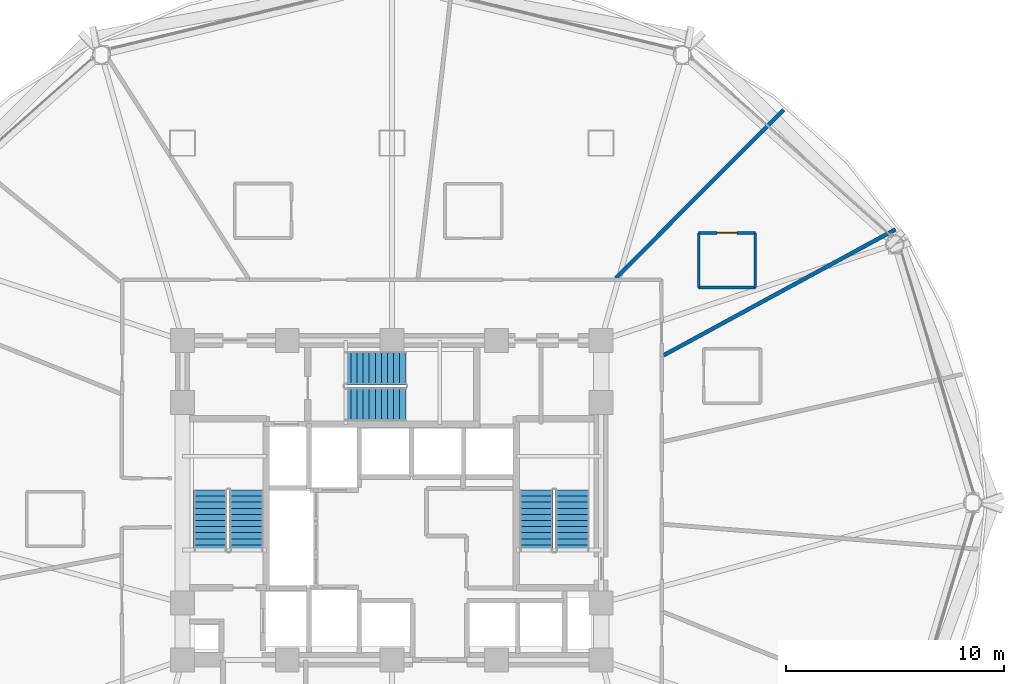
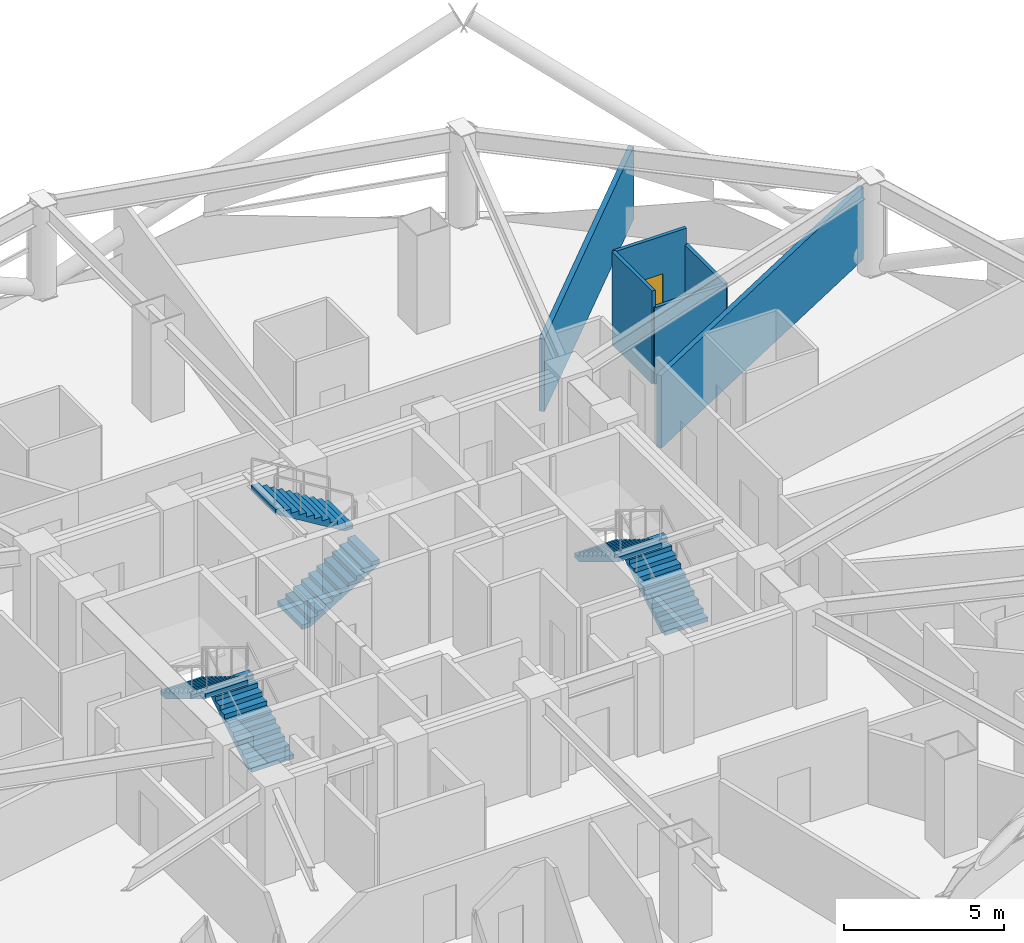
# One storey, part 26 of 30: 6 stair flights, 6 walls, 1 door, 1 opening, 3 elements without a shape of their own.
"""IFC4 building model written with IfcOpenShell, lengths in metres."""

from ifc_helpers import new_model, si_unit, direction, frame, frame_2d, origin, place, context, subcontext, project, spatial, polyline, rectangle, outline, extrude, material, layer, layer_set, type_object, element, fill, aggregate, save


model = new_model("IFC4")

# Units and contexts
model_context = context("Model", 3, precision=1e-05, world=origin(), true_north=direction((0.0, 1.0)))
body_context = subcontext(model_context, "Body", "Model", "MODEL_VIEW")
ifc_project = project(units=[si_unit("LENGTHUNIT", "METRE"), si_unit("AREAUNIT", "SQUARE_METRE"), si_unit("VOLUMEUNIT", "CUBIC_METRE"), si_unit("PLANEANGLEUNIT", "RADIAN"), si_unit("MASSUNIT", "GRAM", prefix="KILO")], contexts=[model_context])

# Site, building, storey
site_placement = place(None, origin())
site = spatial("IfcSite", under=ifc_project, at=site_placement, CompositionType="ELEMENT")
building_placement = place(site_placement, origin())
building = spatial("IfcBuilding", under=site, at=building_placement, Name="Vantalir Tower", CompositionType="ELEMENT")
storey_placement = place(building_placement, frame((0.0, 0.0, 49.5)))
storey = spatial("IfcBuildingStorey", under=building, at=storey_placement, Name="L11", CompositionType="ELEMENT", Elevation=49.5)

# Wall
ifc_material_1 = material(Name="Moisture-resistant en-suite partition", Category="gypsum")
ifc_layer_1 = layer(ifc_material_1, 0.125)
ifc_layer_set_1 = layer_set([ifc_layer_1], Name="Moisture-resistant en-suite partition")
wall_type_1 = type_object("IfcWallType", Name="WL-BATH-125", PredefinedType="PARTITIONING", material=ifc_layer_set_1)
wall_1_placement = place(storey_placement, frame((45.572998046875, 34.881103515625, 0.0), z_axis=(0.0, 0.0, 1.0), x_axis=(1.0, 0.0, 0.0)))
element("IfcWall", 1, at=wall_1_placement, inside=storey, type_object=wall_type_1, Name="L11 En-suite 02 South Wall", PredefinedType="PARTITIONING", context=body_context, shape_type="SweptSolid", body=[
    extrude(rectangle(XDim=2.60009765625, YDim=0.125, at=frame_2d((1.300048828125, 0.0))), origin(), (0.0, 0.0, 1.0), 2.927978515625),
])

# Wall, opening, door
wall_2_placement = place(storey_placement, frame((45.572998046875, 37.381103515625, 0.0), z_axis=(0.0, 0.0, 1.0), x_axis=(1.0, 0.0, 0.0)))
wall_2 = element("IfcWall", 2, at=wall_2_placement, inside=storey, type_object=wall_type_1, Name="L11 En-suite 02 North Wall", PredefinedType="PARTITIONING", context=body_context, shape_type="SweptSolid", body=[
    extrude(rectangle(XDim=2.60009765625, YDim=0.125, at=frame_2d((1.300048828125, 0.0))), origin(), (0.0, 0.0, 1.0), 3.550048828125),
])
opening_placement = place(wall_2_placement, frame((0.85009765625, 0.0, 0.0)))
opening = element("IfcOpeningElement", 3, at=opening_placement, cuts=wall_2, Name="Opening D-WC", PredefinedType="OPENING", context=body_context, shape_type="SweptSolid", body=[
    extrude(rectangle(XDim=0.89990234375, YDim=2.10009765625, at=frame_2d((0.449951171875, 1.050048828125))), frame((0.0, 0.072509765625, 0.0), z_axis=(0.0, -1.0, 0.0), x_axis=(1.0, 0.0, 0.0)), (0.0, 0.0, 1.0), 0.14501953125),
])
ifc_material_2 = material(Name="Moisture-resistant hardwood door", Category="wood")
door_type = type_object("IfcDoorType", Name="DR-ENSUITE-900", OperationType="NOTDEFINED", PredefinedType="DOOR", material=ifc_material_2)
door_placement = place(opening_placement, frame((0.89990234375, 0.0, 0.0), z_axis=(0.0, 0.0, 1.0), x_axis=(-1.0, 0.0, 0.0)))
door = element("IfcDoor", 4, at=door_placement, inside=storey, type_object=door_type, Name="L11 En-suite 02 Door", OperationType="SINGLE_SWING_RIGHT", OverallHeight=2.10009765625, OverallWidth=0.89990234375, PredefinedType="DOOR", context=body_context, shape_type="SweptSolid", body=[
    extrude(rectangle(XDim=0.89990234375, YDim=2.10009765625, at=frame_2d((0.449951171875, 1.050048828125))), frame((0.0, 0.02490234375, 0.0), z_axis=(0.0, -1.0, 0.0), x_axis=(1.0, 0.0, 0.0)), (0.0, 0.0, 1.0), 0.050048828125),
])
fill(opening, door)

# Walls
wall_3_placement = place(storey_placement, frame((45.572998046875, 34.881103515625, 0.0), z_axis=(0.0, 0.0, 1.0), x_axis=(0.0, 1.0, 0.0)))
element("IfcWall", 5, at=wall_3_placement, inside=storey, type_object=wall_type_1, Name="L11 En-suite 02 West Wall", PredefinedType="PARTITIONING", context=body_context, shape_type="SweptSolid", body=[
    extrude(rectangle(XDim=2.5, YDim=0.125, at=frame_2d((1.25, 0.0))), origin(), (0.0, 0.0, 1.0), 3.550048828125),
])
wall_4_placement = place(storey_placement, frame((48.173095703125, 34.881103515625, 0.0), z_axis=(0.0, 0.0, 1.0), x_axis=(0.0, 1.0, 0.0)))
element("IfcWall", 6, at=wall_4_placement, inside=storey, type_object=wall_type_1, Name="L11 En-suite 02 East Wall", PredefinedType="PARTITIONING", context=body_context, shape_type="SweptSolid", body=[
    extrude(rectangle(XDim=2.5, YDim=0.125, at=frame_2d((1.25, 0.0))), origin(), (0.0, 0.0, 1.0), 2.927978515625),
])
ifc_material_3 = material(Name="Twin-stud acoustic fire-rated gypsum partition", Category="gypsum")
ifc_layer_2 = layer(ifc_material_3, 0.179931640625)
ifc_layer_set_2 = layer_set([ifc_layer_2], Name="Twin-stud acoustic fire-rated gypsum partition")
wall_type_2 = type_object("IfcWallType", Name="WL-GUEST-180", PredefinedType="PARTITIONING", material=ifc_layer_set_2)
wall_5_placement = place(storey_placement, frame((43.965087890625, 31.76708984375, 0.0), z_axis=(0.0, 0.0, 1.0), x_axis=(0.878834340918, 0.477127028393, 0.0)))
element("IfcWall", 7, at=wall_5_placement, inside=storey, type_object=wall_type_2, Name="L11 Radial Suite Partition 02", PredefinedType="PARTITIONING", context=body_context, shape_type="SweptSolid", body=[
    extrude(rectangle(XDim=12.103515625, YDim=0.179931640625, at=frame_2d((6.0517578125, 0.0))), origin(), (0.0, 0.0, 1.0), 2.77490234375),
])
wall_6_placement = place(storey_placement, frame((41.779052734375, 35.31494140625, 0.0), z_axis=(0.0, 0.0, 1.0), x_axis=(0.705861156653, 0.708350215309, 0.0)))
element("IfcWall", 8, at=wall_6_placement, inside=storey, type_object=wall_type_2, Name="L11 Radial Suite Partition 03", PredefinedType="PARTITIONING", context=body_context, shape_type="SweptSolid", body=[
    extrude(rectangle(XDim=10.887451171875, YDim=0.179931640625, at=frame_2d((5.44384765625, 0.0))), origin(), (0.0, 0.0, 1.0), 2.77490234375),
])

# Stair, stair flights
ifc_material_4 = material(Name="Concrete C40/50", Category="concrete")
stair_type = type_object("IfcStairType", Name="STR-CORE-1450", PredefinedType="HALF_TURN_STAIR", material=ifc_material_4)
stair_1_placement = place(storey_placement, origin())
stair_1 = element("IfcStair", 9, at=stair_1_placement, inside=storey, type_object=stair_type, Name="L11 Core Exit Stair 1", PredefinedType="HALF_TURN_STAIR")
stair_flight_type = type_object("IfcStairFlightType", Name="FLT-CORE-1450", PredefinedType="STRAIGHT", material=ifc_material_4)
stair_flight_1_placement = place(storey_placement, frame((24.830078125, 22.7900390625, 0.0), z_axis=(0.0, 0.0, 1.0), x_axis=(0.0, 1.0, 0.0)))
stair_flight_1 = element("IfcStairFlight", 10, at=stair_flight_1_placement, type_object=stair_flight_type, Name="ST1 flight 1", NumberOfRisers=11, NumberOfTreads=10, PredefinedType="STRAIGHT", RiserHeight=0.170454545, TreadLength=0.28, context=body_context, shape_type="SweptSolid", body=[
    extrude(outline(polyline([(0.0, 0.0), (0.0, 0.17041015625), (0.280029296875, 0.17041015625), (0.280029296875, 0.3408203125), (0.56005859375, 0.3408203125), (0.56005859375, 0.511474609375), (0.840087890625, 0.511474609375), (0.840087890625, 0.681884765625), (1.1201171875, 0.681884765625), (1.1201171875, 0.852294921875), (1.39990234375, 0.852294921875), (1.39990234375, 1.022705078125), (1.679931640625, 1.022705078125), (1.679931640625, 1.193115234375), (1.9599609375, 1.193115234375), (1.9599609375, 1.363525390625), (2.239990234375, 1.363525390625), (2.239990234375, 1.5341796875), (2.52001953125, 1.5341796875), (2.52001953125, 1.70458984375), (2.800048828125, 1.70458984375), (2.800048828125, 1.875), (2.800048828125, 1.529052734375), (0.288330078125, 0.0), (0.0, 0.0)])), frame((0.0, 0.77001953125, 0.0), z_axis=(0.0, -1.0, 0.0), x_axis=(1.0, 0.0, 0.0)), (0.0, 0.0, 1.0), 1.5400390625),
])
stair_flight_2_placement = place(storey_placement, frame((23.169921875, 25.590087890625, 1.875), z_axis=(0.0, 0.0, 1.0), x_axis=(0.0, -1.0, 0.0)))
stair_flight_2 = element("IfcStairFlight", 11, at=stair_flight_2_placement, type_object=stair_flight_type, Name="ST1 flight 2", NumberOfRisers=11, NumberOfTreads=10, PredefinedType="STRAIGHT", RiserHeight=0.170454545, TreadLength=0.28, context=body_context, shape_type="SweptSolid", body=[
    extrude(outline(polyline([(0.0, 0.0), (0.0, 0.17041015625), (0.280029296875, 0.17041015625), (0.280029296875, 0.3408203125), (0.56005859375, 0.3408203125), (0.56005859375, 0.511474609375), (0.840087890625, 0.511474609375), (0.840087890625, 0.681884765625), (1.1201171875, 0.681884765625), (1.1201171875, 0.852294921875), (1.39990234375, 0.852294921875), (1.39990234375, 1.022705078125), (1.679931640625, 1.022705078125), (1.679931640625, 1.193115234375), (1.9599609375, 1.193115234375), (1.9599609375, 1.363525390625), (2.239990234375, 1.363525390625), (2.239990234375, 1.5341796875), (2.52001953125, 1.5341796875), (2.52001953125, 1.70458984375), (2.800048828125, 1.70458984375), (2.800048828125, 1.875), (2.800048828125, 1.529052734375), (0.288330078125, 0.0), (0.0, 0.0)])), frame((0.0, 0.77001953125, 0.0), z_axis=(0.0, -1.0, 0.0), x_axis=(1.0, 0.0, 0.0)), (0.0, 0.0, 1.0), 1.5400390625),
])
aggregate(stair_1, [stair_flight_1, stair_flight_2])

stair_2_placement = place(storey_placement, origin())
stair_2 = element("IfcStair", 12, at=stair_2_placement, inside=storey, type_object=stair_type, Name="L11 Core Exit Stair 2", PredefinedType="HALF_TURN_STAIR")
stair_flight_3_placement = place(storey_placement, frame((39.780029296875, 22.7900390625, 0.0), z_axis=(0.0, 0.0, 1.0), x_axis=(0.0, 1.0, 0.0)))
stair_flight_3 = element("IfcStairFlight", 13, at=stair_flight_3_placement, type_object=stair_flight_type, Name="ST2 flight 1", NumberOfRisers=11, NumberOfTreads=10, PredefinedType="STRAIGHT", RiserHeight=0.170454545, TreadLength=0.28, context=body_context, shape_type="SweptSolid", body=[
    extrude(outline(polyline([(0.0, 0.0), (0.0, 0.17041015625), (0.280029296875, 0.17041015625), (0.280029296875, 0.3408203125), (0.56005859375, 0.3408203125), (0.56005859375, 0.511474609375), (0.840087890625, 0.511474609375), (0.840087890625, 0.681884765625), (1.1201171875, 0.681884765625), (1.1201171875, 0.852294921875), (1.39990234375, 0.852294921875), (1.39990234375, 1.022705078125), (1.679931640625, 1.022705078125), (1.679931640625, 1.193115234375), (1.9599609375, 1.193115234375), (1.9599609375, 1.363525390625), (2.239990234375, 1.363525390625), (2.239990234375, 1.5341796875), (2.52001953125, 1.5341796875), (2.52001953125, 1.70458984375), (2.800048828125, 1.70458984375), (2.800048828125, 1.875), (2.800048828125, 1.529052734375), (0.288330078125, 0.0), (0.0, 0.0)])), frame((0.0, 0.77001953125, 0.0), z_axis=(0.0, -1.0, 0.0), x_axis=(1.0, 0.0, 0.0)), (0.0, 0.0, 1.0), 1.5400390625),
])
stair_flight_4_placement = place(storey_placement, frame((38.1201171875, 25.590087890625, 1.875), z_axis=(0.0, 0.0, 1.0), x_axis=(0.0, -1.0, 0.0)))
stair_flight_4 = element("IfcStairFlight", 14, at=stair_flight_4_placement, type_object=stair_flight_type, Name="ST2 flight 2", NumberOfRisers=11, NumberOfTreads=10, PredefinedType="STRAIGHT", RiserHeight=0.170454545, TreadLength=0.28, context=body_context, shape_type="SweptSolid", body=[
    extrude(outline(polyline([(0.0, 0.0), (0.0, 0.17041015625), (0.280029296875, 0.17041015625), (0.280029296875, 0.3408203125), (0.56005859375, 0.3408203125), (0.56005859375, 0.511474609375), (0.840087890625, 0.511474609375), (0.840087890625, 0.681884765625), (1.1201171875, 0.681884765625), (1.1201171875, 0.852294921875), (1.39990234375, 0.852294921875), (1.39990234375, 1.022705078125), (1.679931640625, 1.022705078125), (1.679931640625, 1.193115234375), (1.9599609375, 1.193115234375), (1.9599609375, 1.363525390625), (2.239990234375, 1.363525390625), (2.239990234375, 1.5341796875), (2.52001953125, 1.5341796875), (2.52001953125, 1.70458984375), (2.800048828125, 1.70458984375), (2.800048828125, 1.875), (2.800048828125, 1.529052734375), (0.288330078125, 0.0), (0.0, 0.0)])), frame((0.0, 0.77001953125, 0.0), z_axis=(0.0, -1.0, 0.0), x_axis=(1.0, 0.0, 0.0)), (0.0, 0.0, 1.0), 1.5400390625),
])
aggregate(stair_2, [stair_flight_3, stair_flight_4])

stair_3_placement = place(storey_placement, origin())
stair_3 = element("IfcStair", 15, at=stair_3_placement, inside=storey, type_object=stair_type, Name="L11 Core Exit Stair 3", PredefinedType="HALF_TURN_STAIR")
stair_flight_5_placement = place(storey_placement, frame((29.340087890625, 29.52001953125, 0.0), z_axis=(0.0, 0.0, 1.0), x_axis=(1.0, 0.0, 0.0)))
stair_flight_5 = element("IfcStairFlight", 16, at=stair_flight_5_placement, type_object=stair_flight_type, Name="ST3 flight 1", NumberOfRisers=11, NumberOfTreads=10, PredefinedType="STRAIGHT", RiserHeight=0.170454545, TreadLength=0.28, context=body_context, shape_type="SweptSolid", body=[
    extrude(outline(polyline([(0.0, 0.0), (0.0, 0.17041015625), (0.280029296875, 0.17041015625), (0.280029296875, 0.3408203125), (0.56005859375, 0.3408203125), (0.56005859375, 0.511474609375), (0.840087890625, 0.511474609375), (0.840087890625, 0.681884765625), (1.1201171875, 0.681884765625), (1.1201171875, 0.852294921875), (1.39990234375, 0.852294921875), (1.39990234375, 1.022705078125), (1.679931640625, 1.022705078125), (1.679931640625, 1.193115234375), (1.9599609375, 1.193115234375), (1.9599609375, 1.363525390625), (2.239990234375, 1.363525390625), (2.239990234375, 1.5341796875), (2.52001953125, 1.5341796875), (2.52001953125, 1.70458984375), (2.800048828125, 1.70458984375), (2.800048828125, 1.875), (2.800048828125, 1.529052734375), (0.288330078125, 0.0), (0.0, 0.0)])), frame((0.0, 0.77001953125, 0.0), z_axis=(0.0, -1.0, 0.0), x_axis=(1.0, 0.0, 0.0)), (0.0, 0.0, 1.0), 1.5400390625),
])
stair_flight_6_placement = place(storey_placement, frame((32.139892578125, 31.179931640625, 1.875), z_axis=(0.0, 0.0, 1.0), x_axis=(-1.0, 0.0, 0.0)))
stair_flight_6 = element("IfcStairFlight", 17, at=stair_flight_6_placement, type_object=stair_flight_type, Name="ST3 flight 2", NumberOfRisers=11, NumberOfTreads=10, PredefinedType="STRAIGHT", RiserHeight=0.170454545, TreadLength=0.28, context=body_context, shape_type="SweptSolid", body=[
    extrude(outline(polyline([(0.0, 0.0), (0.0, 0.17041015625), (0.280029296875, 0.17041015625), (0.280029296875, 0.3408203125), (0.56005859375, 0.3408203125), (0.56005859375, 0.511474609375), (0.840087890625, 0.511474609375), (0.840087890625, 0.681884765625), (1.1201171875, 0.681884765625), (1.1201171875, 0.852294921875), (1.39990234375, 0.852294921875), (1.39990234375, 1.022705078125), (1.679931640625, 1.022705078125), (1.679931640625, 1.193115234375), (1.9599609375, 1.193115234375), (1.9599609375, 1.363525390625), (2.239990234375, 1.363525390625), (2.239990234375, 1.5341796875), (2.52001953125, 1.5341796875), (2.52001953125, 1.70458984375), (2.800048828125, 1.70458984375), (2.800048828125, 1.875), (2.800048828125, 1.529052734375), (0.288330078125, 0.0), (0.0, 0.0)])), frame((0.0, 0.77001953125, 0.0), z_axis=(0.0, -1.0, 0.0), x_axis=(1.0, 0.0, 0.0)), (0.0, 0.0, 1.0), 1.5400390625),
])
aggregate(stair_3, [stair_flight_5, stair_flight_6])

save(model, "model.ifc")
